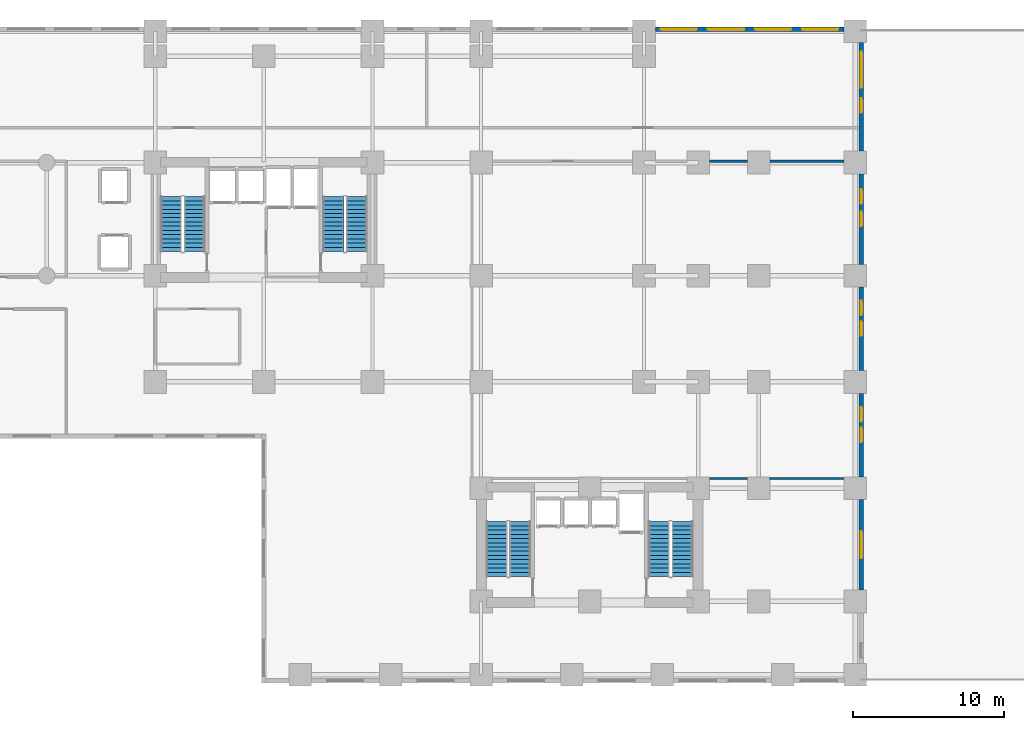
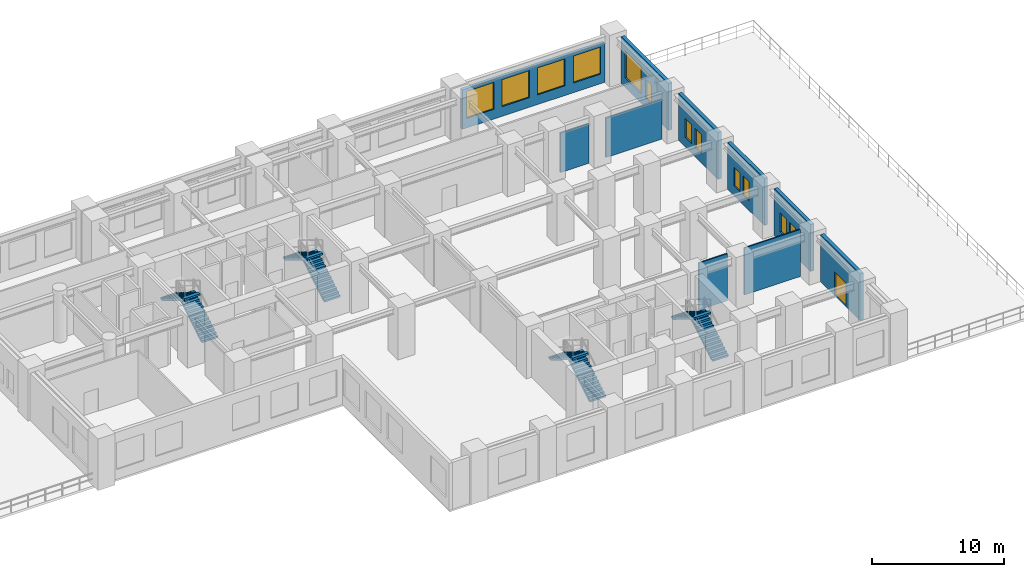
# One storey, part 6 of 10: 12 windows, 10 walls, 8 stair flights, 1 door, 13 openings, 4 elements without a shape of their own.
"""IFC4 building model written with IfcOpenShell, lengths in metres."""

from ifc_helpers import new_model, si_unit, direction, frame, frame_2d, origin, place, context, subcontext, project, spatial, polyline, rectangle, outline, extrude, material, layer, layer_set, type_object, element, fill, aggregate, save


model = new_model("IFC4")

# Units and contexts
model_context = context("Model", 3, precision=1e-05, world=origin(), true_north=direction((0.0, 1.0)))
body_context = subcontext(model_context, "Body", "Model", "MODEL_VIEW")
ifc_project = project(units=[si_unit("LENGTHUNIT", "METRE"), si_unit("AREAUNIT", "SQUARE_METRE"), si_unit("VOLUMEUNIT", "CUBIC_METRE"), si_unit("PLANEANGLEUNIT", "RADIAN"), si_unit("MASSUNIT", "GRAM", prefix="KILO")], contexts=[model_context])

# Site, building, storey
site_placement = place(None, origin())
site = spatial("IfcSite", under=ifc_project, at=site_placement, CompositionType="ELEMENT")
building_placement = place(site_placement, origin())
building = spatial("IfcBuilding", under=site, at=building_placement, Name="Kaliganga Portal Commons", CompositionType="ELEMENT")
storey_placement = place(building_placement, frame((0.0, 0.0, 15.0)))
storey = spatial("IfcBuildingStorey", under=building, at=storey_placement, Name="L03", CompositionType="ELEMENT", Elevation=15.0)

# Wall, opening, door
ifc_material_1 = material(Name="Precast concrete C40/50", Category="concrete")
ifc_layer_1 = layer(ifc_material_1, 0.300048828125)
ifc_layer_set_1 = layer_set([ifc_layer_1], Name="Precast concrete C40/50")
wall_type_1 = type_object("IfcWallType", Name="WL-EXT-POD-300", PredefinedType="STANDARD", material=ifc_layer_set_1)
wall_1_placement = place(storey_placement, frame((61.199951171875, 13.799072265625, 0.0), z_axis=(0.0, 0.0, 1.0), x_axis=(0.0, -1.0, 0.0)))
wall_1 = element("IfcWall", 1, at=wall_1_placement, inside=storey, type_object=wall_type_1, Name="Exterior Envelope Wall L03 P1-E01-S2", PredefinedType="STANDARD", context=body_context, shape_type="SweptSolid", body=[
    extrude(rectangle(XDim=5.998046875, YDim=0.300048828125, at=frame_2d((2.9990234375, 0.0))), origin(), (0.0, 0.0, 1.0), 4.360107421875),
])
opening_1_placement = place(wall_1_placement, frame((2.09912109375, 0.0, 0.0)))
opening_1 = element("IfcOpeningElement", 2, at=opening_1_placement, cuts=wall_1, Name="Opening TD-01", PredefinedType="OPENING", context=body_context, shape_type="SweptSolid", body=[
    extrude(rectangle(XDim=1.800048828125, YDim=2.199951171875, at=frame_2d((0.89990234375, 1.10009765625))), frame((0.0, 0.16015625, 0.0), z_axis=(0.0, -1.0, 0.0), x_axis=(1.0, 0.0, 0.0)), (0.0, 0.0, 1.0), 0.320068359375),
])
ifc_material_2 = material(Name="Anodized Aluminium and Laminated Safety Glass", Category="aluminium")
door_type = type_object("IfcDoorType", Name="DR-TERR-1800", OperationType="DOUBLE_DOOR_SINGLE_SWING", PredefinedType="DOOR", material=ifc_material_2)
door_placement = place(opening_1_placement, origin())
door = element("IfcDoor", 3, at=door_placement, inside=storey, type_object=door_type, Name="Terrace Access Door L03 east_podium_terrace", OperationType="DOUBLE_DOOR_SINGLE_SWING", OverallHeight=2.199951171875, OverallWidth=1.800048828125, PredefinedType="DOOR", context=body_context, shape_type="SweptSolid", body=[
    extrude(rectangle(XDim=1.800048828125, YDim=2.199951171875, at=frame_2d((0.89990234375, 1.10009765625))), frame((0.0, 0.02490234375, 0.0), z_axis=(0.0, -1.0, 0.0), x_axis=(1.0, 0.0, 0.0)), (0.0, 0.0, 1.0), 0.050048828125),
])
fill(opening_1, door)

# Wall, openings, windows
wall_2_placement = place(storey_placement, frame((61.199951171875, 20.84912109375, 0.0), z_axis=(0.0, 0.0, 1.0), x_axis=(0.0, -1.0, 0.0)))
wall_2 = element("IfcWall", 4, at=wall_2_placement, inside=storey, type_object=wall_type_1, Name="Exterior Envelope Wall L03 P1-E01-S3", PredefinedType="STANDARD", context=body_context, shape_type="SweptSolid", body=[
    extrude(rectangle(XDim=5.548095703125, YDim=0.300048828125, at=frame_2d((2.77392578125, 0.0))), origin(), (0.0, 0.0, 1.0), 4.360107421875),
])
opening_2_placement = place(wall_2_placement, frame((2.299072265625, 0.0, 0.89990234375)))
opening_2 = element("IfcOpeningElement", 5, at=opening_2_placement, cuts=wall_2, Name="Opening W-04", PredefinedType="OPENING", context=body_context, shape_type="SweptSolid", body=[
    extrude(rectangle(XDim=0.949951171875, YDim=1.75, at=frame_2d((0.47509765625, 0.875))), frame((0.0, 0.16015625, 0.0), z_axis=(0.0, -1.0, 0.0), x_axis=(1.0, 0.0, 0.0)), (0.0, 0.0, 1.0), 0.320068359375),
])
opening_3_placement = place(wall_2_placement, frame((0.923095703125, 0.0, 0.89990234375)))
opening_3 = element("IfcOpeningElement", 6, at=opening_3_placement, cuts=wall_2, Name="Opening W-04", PredefinedType="OPENING", context=body_context, shape_type="SweptSolid", body=[
    extrude(rectangle(XDim=0.949951171875, YDim=1.75, at=frame_2d((0.47509765625, 0.875))), frame((0.0, 0.16015625, 0.0), z_axis=(0.0, -1.0, 0.0), x_axis=(1.0, 0.0, 0.0)), (0.0, 0.0, 1.0), 0.320068359375),
])
ifc_material_3 = material(Name="Thermally Broken Aluminium and Low-E Double Glazing", Category="aluminium")
window_type_1 = type_object("IfcWindowType", Name="WIN-NARROW-950", PartitioningType="SINGLE_PANEL", PredefinedType="WINDOW", material=ifc_material_3)
window_1_placement = place(opening_2_placement, origin())
window_1 = element("IfcWindow", 7, at=window_1_placement, inside=storey, type_object=window_type_1, Name="Facade Window L03-P1E01S3-N0", OverallHeight=1.75, OverallWidth=0.949951171875, PartitioningType="SINGLE_PANEL", PredefinedType="WINDOW", context=body_context, shape_type="SweptSolid", body=[
    extrude(rectangle(XDim=0.949951171875, YDim=1.75, at=frame_2d((0.47509765625, 0.875))), frame((0.0, 0.030029296875, 0.0), z_axis=(0.0, -1.0, 0.0), x_axis=(1.0, 0.0, 0.0)), (0.0, 0.0, 1.0), 0.06005859375),
])
fill(opening_2, window_1)
window_2_placement = place(opening_3_placement, origin())
window_2 = element("IfcWindow", 8, at=window_2_placement, inside=storey, type_object=window_type_1, Name="Facade Window L03-P1E01S3-N1", OverallHeight=1.75, OverallWidth=0.949951171875, PartitioningType="SINGLE_PANEL", PredefinedType="WINDOW", context=body_context, shape_type="SweptSolid", body=[
    extrude(rectangle(XDim=0.949951171875, YDim=1.75, at=frame_2d((0.47509765625, 0.875))), frame((0.0, 0.030029296875, 0.0), z_axis=(0.0, -1.0, 0.0), x_axis=(1.0, 0.0, 0.0)), (0.0, 0.0, 1.0), 0.06005859375),
])
fill(opening_3, window_2)

wall_3_placement = place(storey_placement, frame((61.199951171875, 27.89892578125, 0.0), z_axis=(0.0, 0.0, 1.0), x_axis=(0.0, -1.0, 0.0)))
wall_3 = element("IfcWall", 9, at=wall_3_placement, inside=storey, type_object=wall_type_1, Name="Exterior Envelope Wall L03 P1-E01-S4", PredefinedType="STANDARD", context=body_context, shape_type="SweptSolid", body=[
    extrude(rectangle(XDim=5.5478515625, YDim=0.300048828125, at=frame_2d((2.77392578125, 0.0))), origin(), (0.0, 0.0, 1.0), 4.360107421875),
])
opening_4_placement = place(wall_3_placement, frame((2.299072265625, 0.0, 0.89990234375)))
opening_4 = element("IfcOpeningElement", 10, at=opening_4_placement, cuts=wall_3, Name="Opening W-04", PredefinedType="OPENING", context=body_context, shape_type="SweptSolid", body=[
    extrude(rectangle(XDim=0.949951171875, YDim=1.75, at=frame_2d((0.47509765625, 0.875))), frame((0.0, 0.16015625, 0.0), z_axis=(0.0, -1.0, 0.0), x_axis=(1.0, 0.0, 0.0)), (0.0, 0.0, 1.0), 0.320068359375),
])
opening_5_placement = place(wall_3_placement, frame((0.923095703125, 0.0, 0.89990234375)))
opening_5 = element("IfcOpeningElement", 11, at=opening_5_placement, cuts=wall_3, Name="Opening W-04", PredefinedType="OPENING", context=body_context, shape_type="SweptSolid", body=[
    extrude(rectangle(XDim=0.949951171875, YDim=1.75, at=frame_2d((0.47509765625, 0.875))), frame((0.0, 0.16015625, 0.0), z_axis=(0.0, -1.0, 0.0), x_axis=(1.0, 0.0, 0.0)), (0.0, 0.0, 1.0), 0.320068359375),
])
window_3_placement = place(opening_4_placement, origin())
window_3 = element("IfcWindow", 12, at=window_3_placement, inside=storey, type_object=window_type_1, Name="Facade Window L03-P1E01S4-N0", OverallHeight=1.75, OverallWidth=0.949951171875, PartitioningType="SINGLE_PANEL", PredefinedType="WINDOW", context=body_context, shape_type="SweptSolid", body=[
    extrude(rectangle(XDim=0.949951171875, YDim=1.75, at=frame_2d((0.47509765625, 0.875))), frame((0.0, 0.030029296875, 0.0), z_axis=(0.0, -1.0, 0.0), x_axis=(1.0, 0.0, 0.0)), (0.0, 0.0, 1.0), 0.06005859375),
])
fill(opening_4, window_3)
window_4_placement = place(opening_5_placement, origin())
window_4 = element("IfcWindow", 13, at=window_4_placement, inside=storey, type_object=window_type_1, Name="Facade Window L03-P1E01S4-N1", OverallHeight=1.75, OverallWidth=0.949951171875, PartitioningType="SINGLE_PANEL", PredefinedType="WINDOW", context=body_context, shape_type="SweptSolid", body=[
    extrude(rectangle(XDim=0.949951171875, YDim=1.75, at=frame_2d((0.47509765625, 0.875))), frame((0.0, 0.030029296875, 0.0), z_axis=(0.0, -1.0, 0.0), x_axis=(1.0, 0.0, 0.0)), (0.0, 0.0, 1.0), 0.06005859375),
])
fill(opening_5, window_4)

wall_4_placement = place(storey_placement, frame((61.199951171875, 35.39892578125, 0.0), z_axis=(0.0, 0.0, 1.0), x_axis=(0.0, -1.0, 0.0)))
wall_4 = element("IfcWall", 14, at=wall_4_placement, inside=storey, type_object=wall_type_1, Name="Exterior Envelope Wall L03 P1-E01-S5", PredefinedType="STANDARD", context=body_context, shape_type="SweptSolid", body=[
    extrude(rectangle(XDim=5.998046875, YDim=0.300048828125, at=frame_2d((2.9990234375, 0.0))), origin(), (0.0, 0.0, 1.0), 4.360107421875),
])
opening_6_placement = place(wall_4_placement, frame((2.52392578125, 0.0, 0.89990234375)))
opening_6 = element("IfcOpeningElement", 15, at=opening_6_placement, cuts=wall_4, Name="Opening W-04", PredefinedType="OPENING", context=body_context, shape_type="SweptSolid", body=[
    extrude(rectangle(XDim=0.949951171875, YDim=1.75, at=frame_2d((0.47509765625, 0.875))), frame((0.0, 0.16015625, 0.0), z_axis=(0.0, -1.0, 0.0), x_axis=(1.0, 0.0, 0.0)), (0.0, 0.0, 1.0), 0.320068359375),
])
opening_7_placement = place(wall_4_placement, frame((1.03662109375, 0.0, 0.89990234375)))
opening_7 = element("IfcOpeningElement", 16, at=opening_7_placement, cuts=wall_4, Name="Opening W-04", PredefinedType="OPENING", context=body_context, shape_type="SweptSolid", body=[
    extrude(rectangle(XDim=0.949951171875, YDim=1.75, at=frame_2d((0.47509765625, 0.875))), frame((0.0, 0.16015625, 0.0), z_axis=(0.0, -1.0, 0.0), x_axis=(1.0, 0.0, 0.0)), (0.0, 0.0, 1.0), 0.320068359375),
])
window_5_placement = place(opening_6_placement, origin())
window_5 = element("IfcWindow", 17, at=window_5_placement, inside=storey, type_object=window_type_1, Name="Facade Window L03-P1E01S5-N0", OverallHeight=1.75, OverallWidth=0.949951171875, PartitioningType="SINGLE_PANEL", PredefinedType="WINDOW", context=body_context, shape_type="SweptSolid", body=[
    extrude(rectangle(XDim=0.949951171875, YDim=1.75, at=frame_2d((0.47509765625, 0.875))), frame((0.0, 0.030029296875, 0.0), z_axis=(0.0, -1.0, 0.0), x_axis=(1.0, 0.0, 0.0)), (0.0, 0.0, 1.0), 0.06005859375),
])
fill(opening_6, window_5)
window_6_placement = place(opening_7_placement, origin())
window_6 = element("IfcWindow", 18, at=window_6_placement, inside=storey, type_object=window_type_1, Name="Facade Window L03-P1E01S5-N1", OverallHeight=1.75, OverallWidth=0.949951171875, PartitioningType="SINGLE_PANEL", PredefinedType="WINDOW", context=body_context, shape_type="SweptSolid", body=[
    extrude(rectangle(XDim=0.949951171875, YDim=1.75, at=frame_2d((0.47509765625, 0.875))), frame((0.0, 0.030029296875, 0.0), z_axis=(0.0, -1.0, 0.0), x_axis=(1.0, 0.0, 0.0)), (0.0, 0.0, 1.0), 0.06005859375),
])
fill(opening_7, window_6)

wall_5_placement = place(storey_placement, frame((61.199951171875, 44.09912109375, 0.0), z_axis=(0.0, 0.0, 1.0), x_axis=(0.0, -1.0, 0.0)))
wall_5 = element("IfcWall", 19, at=wall_5_placement, inside=storey, type_object=wall_type_1, Name="Exterior Envelope Wall L03 P1-E01-S6", PredefinedType="STANDARD", context=body_context, shape_type="SweptSolid", body=[
    extrude(rectangle(XDim=7.1982421875, YDim=0.300048828125, at=frame_2d((3.59912109375, 0.0))), origin(), (0.0, 0.0, 1.0), 4.360107421875),
])
opening_8_placement = place(wall_5_placement, frame((0.599609375, 0.0, 0.89990234375)))
opening_8 = element("IfcOpeningElement", 20, at=opening_8_placement, cuts=wall_5, Name="Opening W-05", PredefinedType="OPENING", context=body_context, shape_type="SweptSolid", body=[
    extrude(rectangle(XDim=2.39990234375, YDim=2.5, at=frame_2d((1.199951171875, 1.25))), frame((0.0, 0.16015625, 0.0), z_axis=(0.0, -1.0, 0.0), x_axis=(1.0, 0.0, 0.0)), (0.0, 0.0, 1.0), 0.320068359375),
])
opening_9_placement = place(wall_5_placement, frame((3.69970703125, 0.0, 0.89990234375)))
opening_9 = element("IfcOpeningElement", 21, at=opening_9_placement, cuts=wall_5, Name="Opening W-04", PredefinedType="OPENING", context=body_context, shape_type="SweptSolid", body=[
    extrude(rectangle(XDim=0.949951171875, YDim=1.75, at=frame_2d((0.47509765625, 0.875))), frame((0.0, 0.16015625, 0.0), z_axis=(0.0, -1.0, 0.0), x_axis=(1.0, 0.0, 0.0)), (0.0, 0.0, 1.0), 0.320068359375),
])
window_7_placement = place(opening_9_placement, origin())
window_7 = element("IfcWindow", 22, at=window_7_placement, inside=storey, type_object=window_type_1, Name="Facade Window L03-P1E01S6-N6", OverallHeight=1.75, OverallWidth=0.949951171875, PartitioningType="SINGLE_PANEL", PredefinedType="WINDOW", context=body_context, shape_type="SweptSolid", body=[
    extrude(rectangle(XDim=0.949951171875, YDim=1.75, at=frame_2d((0.47509765625, 0.875))), frame((0.0, 0.030029296875, 0.0), z_axis=(0.0, -1.0, 0.0), x_axis=(1.0, 0.0, 0.0)), (0.0, 0.0, 1.0), 0.06005859375),
])
fill(opening_9, window_7)
window_type_2 = type_object("IfcWindowType", Name="WIN-POD-2400", PartitioningType="TRIPLE_PANEL_VERTICAL", PredefinedType="WINDOW", material=ifc_material_3)
window_8_placement = place(opening_8_placement, origin())
window_8 = element("IfcWindow", 23, at=window_8_placement, inside=storey, type_object=window_type_2, Name="Facade Window L03-P1E01S6-00", OverallHeight=2.5, OverallWidth=2.39990234375, PartitioningType="SINGLE_PANEL", PredefinedType="WINDOW", context=body_context, shape_type="SweptSolid", body=[
    extrude(rectangle(XDim=2.39990234375, YDim=2.5, at=frame_2d((1.199951171875, 1.25))), frame((0.0, 0.030029296875, 0.0), z_axis=(0.0, -1.0, 0.0), x_axis=(1.0, 0.0, 0.0)), (0.0, 0.0, 1.0), 0.06005859375),
])
fill(opening_8, window_8)

wall_6_placement = place(storey_placement, frame((47.551025390625, 45.0, 0.0), z_axis=(0.0, 0.0, 1.0), x_axis=(1.0, 0.0, 0.0)))
wall_6 = element("IfcWall", 24, at=wall_6_placement, inside=storey, type_object=wall_type_1, Name="Exterior Envelope Wall L03 P1-E02-S1", PredefinedType="STANDARD", context=body_context, shape_type="SweptSolid", body=[
    extrude(rectangle(XDim=12.498046875, YDim=0.300048828125, at=frame_2d((6.2490234375, 0.0))), origin(), (0.0, 0.0, 1.0), 3.659912109375),
])
opening_10_placement = place(wall_6_placement, frame((0.3623046875, 0.0, 0.89990234375)))
opening_10 = element("IfcOpeningElement", 25, at=opening_10_placement, cuts=wall_6, Name="Opening W-05", PredefinedType="OPENING", context=body_context, shape_type="SweptSolid", body=[
    extrude(rectangle(XDim=2.39990234375, YDim=2.5, at=frame_2d((1.199951171875, 1.25))), frame((0.0, 0.16015625, 0.0), z_axis=(0.0, -1.0, 0.0), x_axis=(1.0, 0.0, 0.0)), (0.0, 0.0, 1.0), 0.320068359375),
])
opening_11_placement = place(wall_6_placement, frame((3.48681640625, 0.0, 0.89990234375)))
opening_11 = element("IfcOpeningElement", 26, at=opening_11_placement, cuts=wall_6, Name="Opening W-05", PredefinedType="OPENING", context=body_context, shape_type="SweptSolid", body=[
    extrude(rectangle(XDim=2.39990234375, YDim=2.5, at=frame_2d((1.199951171875, 1.25))), frame((0.0, 0.16015625, 0.0), z_axis=(0.0, -1.0, 0.0), x_axis=(1.0, 0.0, 0.0)), (0.0, 0.0, 1.0), 0.320068359375),
])
opening_12_placement = place(wall_6_placement, frame((6.611083984375, 0.0, 0.89990234375)))
opening_12 = element("IfcOpeningElement", 27, at=opening_12_placement, cuts=wall_6, Name="Opening W-05", PredefinedType="OPENING", context=body_context, shape_type="SweptSolid", body=[
    extrude(rectangle(XDim=2.39990234375, YDim=2.5, at=frame_2d((1.199951171875, 1.25))), frame((0.0, 0.16015625, 0.0), z_axis=(0.0, -1.0, 0.0), x_axis=(1.0, 0.0, 0.0)), (0.0, 0.0, 1.0), 0.320068359375),
])
opening_13_placement = place(wall_6_placement, frame((9.735595703125, 0.0, 0.89990234375)))
opening_13 = element("IfcOpeningElement", 28, at=opening_13_placement, cuts=wall_6, Name="Opening W-05", PredefinedType="OPENING", context=body_context, shape_type="SweptSolid", body=[
    extrude(rectangle(XDim=2.39990234375, YDim=2.5, at=frame_2d((1.199951171875, 1.25))), frame((0.0, 0.16015625, 0.0), z_axis=(0.0, -1.0, 0.0), x_axis=(1.0, 0.0, 0.0)), (0.0, 0.0, 1.0), 0.320068359375),
])
window_9_placement = place(opening_10_placement, origin())
window_9 = element("IfcWindow", 29, at=window_9_placement, inside=storey, type_object=window_type_2, Name="Facade Window L03-P1E02S1-00", OverallHeight=2.5, OverallWidth=2.39990234375, PartitioningType="SINGLE_PANEL", PredefinedType="WINDOW", context=body_context, shape_type="SweptSolid", body=[
    extrude(rectangle(XDim=2.39990234375, YDim=2.5, at=frame_2d((1.199951171875, 1.25))), frame((0.0, 0.030029296875, 0.0), z_axis=(0.0, -1.0, 0.0), x_axis=(1.0, 0.0, 0.0)), (0.0, 0.0, 1.0), 0.06005859375),
])
fill(opening_10, window_9)
window_10_placement = place(opening_11_placement, origin())
window_10 = element("IfcWindow", 30, at=window_10_placement, inside=storey, type_object=window_type_2, Name="Facade Window L03-P1E02S1-01", OverallHeight=2.5, OverallWidth=2.39990234375, PartitioningType="SINGLE_PANEL", PredefinedType="WINDOW", context=body_context, shape_type="SweptSolid", body=[
    extrude(rectangle(XDim=2.39990234375, YDim=2.5, at=frame_2d((1.199951171875, 1.25))), frame((0.0, 0.030029296875, 0.0), z_axis=(0.0, -1.0, 0.0), x_axis=(1.0, 0.0, 0.0)), (0.0, 0.0, 1.0), 0.06005859375),
])
fill(opening_11, window_10)
window_11_placement = place(opening_12_placement, origin())
window_11 = element("IfcWindow", 31, at=window_11_placement, inside=storey, type_object=window_type_2, Name="Facade Window L03-P1E02S1-02", OverallHeight=2.5, OverallWidth=2.39990234375, PartitioningType="SINGLE_PANEL", PredefinedType="WINDOW", context=body_context, shape_type="SweptSolid", body=[
    extrude(rectangle(XDim=2.39990234375, YDim=2.5, at=frame_2d((1.199951171875, 1.25))), frame((0.0, 0.030029296875, 0.0), z_axis=(0.0, -1.0, 0.0), x_axis=(1.0, 0.0, 0.0)), (0.0, 0.0, 1.0), 0.06005859375),
])
fill(opening_12, window_11)
window_12_placement = place(opening_13_placement, origin())
window_12 = element("IfcWindow", 32, at=window_12_placement, inside=storey, type_object=window_type_2, Name="Facade Window L03-P1E02S1-03", OverallHeight=2.5, OverallWidth=2.39990234375, PartitioningType="SINGLE_PANEL", PredefinedType="WINDOW", context=body_context, shape_type="SweptSolid", body=[
    extrude(rectangle(XDim=2.39990234375, YDim=2.5, at=frame_2d((1.199951171875, 1.25))), frame((0.0, 0.030029296875, 0.0), z_axis=(0.0, -1.0, 0.0), x_axis=(1.0, 0.0, 0.0)), (0.0, 0.0, 1.0), 0.06005859375),
])
fill(opening_13, window_12)

# Walls
ifc_material_4 = material(Name="Fire-Rated Gypsum Board on Steel Stud", Category="steel")
ifc_layer_2 = layer(ifc_material_4, 0.14990234375)
ifc_layer_set_2 = layer_set([ifc_layer_2], Name="Fire-Rated Gypsum Board on Steel Stud")
wall_type_2 = type_object("IfcWallType", Name="WL-PART-CORR-150", PredefinedType="PARTITIONING", material=ifc_layer_set_2)
wall_7_placement = place(storey_placement, frame((51.14990234375, 36.239990234375, 0.0), z_axis=(0.0, 0.0, 1.0), x_axis=(1.0, 0.0, 0.0)))
element("IfcWall", 33, at=wall_7_placement, inside=storey, type_object=wall_type_2, Name="Interior Partition L03-005", PredefinedType="PARTITIONING", context=body_context, shape_type="SweptSolid", body=[
    extrude(rectangle(XDim=2.5, YDim=0.14990234375, at=frame_2d((1.25, 0.0))), origin(), (0.0, 0.0, 1.0), 3.659912109375),
])
wall_8_placement = place(storey_placement, frame((55.14990234375, 36.239990234375, 0.0), z_axis=(0.0, 0.0, 1.0), x_axis=(1.0, 0.0, 0.0)))
element("IfcWall", 34, at=wall_8_placement, inside=storey, type_object=wall_type_2, Name="Interior Partition L03-006", PredefinedType="PARTITIONING", context=body_context, shape_type="SweptSolid", body=[
    extrude(rectangle(XDim=4.900146484375, YDim=0.14990234375, at=frame_2d((2.4501953125, 0.0))), origin(), (0.0, 0.0, 1.0), 3.659912109375),
])
ifc_material_5 = material(Name="Moisture-Resistant Gypsum Partition", Category="gypsum")
ifc_layer_3 = layer(ifc_material_5, 0.114990234375)
ifc_layer_set_3 = layer_set([ifc_layer_3], Name="Moisture-Resistant Gypsum Partition")
wall_type_3 = type_object("IfcWallType", Name="WL-PART-ROOM-115", PredefinedType="PARTITIONING", material=ifc_layer_set_3)
wall_9_placement = place(storey_placement, frame((51.14990234375, 15.199951171875, 0.0), z_axis=(0.0, 0.0, 1.0), x_axis=(1.0, 0.0, 0.0)))
element("IfcWall", 35, at=wall_9_placement, inside=storey, type_object=wall_type_3, Name="Interior Partition L03-019", PredefinedType="PARTITIONING", context=body_context, shape_type="SweptSolid", body=[
    extrude(rectangle(XDim=2.5, YDim=0.114990234375, at=frame_2d((1.25, 0.0))), origin(), (0.0, 0.0, 1.0), 4.360107421875),
])
wall_10_placement = place(storey_placement, frame((55.14990234375, 15.199951171875, 0.0), z_axis=(0.0, 0.0, 1.0), x_axis=(1.0, 0.0, 0.0)))
element("IfcWall", 36, at=wall_10_placement, inside=storey, type_object=wall_type_3, Name="Interior Partition L03-020", PredefinedType="PARTITIONING", context=body_context, shape_type="SweptSolid", body=[
    extrude(rectangle(XDim=4.900146484375, YDim=0.114990234375, at=frame_2d((2.4501953125, 0.0))), origin(), (0.0, 0.0, 1.0), 4.360107421875),
])

# Stair, stair flights
ifc_material_6 = material(Name="Concrete C40/50", Category="concrete")
stair_type = type_object("IfcStairType", Name="ST-CORE-DOGLEG", PredefinedType="HALF_TURN_STAIR", material=ifc_material_6)
stair_1_placement = place(storey_placement, origin())
stair_1 = element("IfcStair", 37, at=stair_1_placement, inside=storey, type_object=stair_type, Name="L03 Protected Exit Stair ST-A1", PredefinedType="HALF_TURN_STAIR")
stair_flight_type = type_object("IfcStairFlightType", Name="STF-RC-1400", PredefinedType="STRAIGHT", material=ifc_material_6)
stair_flight_1_placement = place(storey_placement, frame((17.0, 30.25, 0.0), z_axis=(0.0, 0.0, 1.0), x_axis=(0.0, 1.0, 0.0)))
stair_flight_1 = element("IfcStairFlight", 38, at=stair_flight_1_placement, type_object=stair_flight_type, Name="ST-A1 flight 1", NumberOfRisers=14, NumberOfTreads=13, PredefinedType="STRAIGHT", RiserHeight=0.171428571, TreadLength=0.28, context=body_context, shape_type="SweptSolid", body=[
    extrude(outline(polyline([(0.0, 0.0), (0.0, 0.17138671875), (0.280029296875, 0.17138671875), (0.280029296875, 0.3427734375), (0.56005859375, 0.3427734375), (0.56005859375, 0.514404296875), (0.840087890625, 0.514404296875), (0.840087890625, 0.685791015625), (1.1201171875, 0.685791015625), (1.1201171875, 0.857177734375), (1.39990234375, 0.857177734375), (1.39990234375, 1.028564453125), (1.679931640625, 1.028564453125), (1.679931640625, 1.199951171875), (1.9599609375, 1.199951171875), (1.9599609375, 1.371337890625), (2.239990234375, 1.371337890625), (2.239990234375, 1.54296875), (2.52001953125, 1.54296875), (2.52001953125, 1.71435546875), (2.800048828125, 1.71435546875), (2.800048828125, 1.8857421875), (3.080078125, 1.8857421875), (3.080078125, 2.05712890625), (3.360107421875, 2.05712890625), (3.360107421875, 2.228515625), (3.639892578125, 2.228515625), (3.639892578125, 2.39990234375), (3.639892578125, 2.052734375), (0.287109375, 0.0), (0.0, 0.0)])), frame((0.0, 0.699951171875, 0.0), z_axis=(0.0, -1.0, 0.0), x_axis=(1.0, 0.0, 0.0)), (0.0, 0.0, 1.0), 1.39990234375),
])
stair_flight_2_placement = place(storey_placement, frame((15.449951171875, 33.889892578125, 2.39990234375), z_axis=(0.0, 0.0, 1.0), x_axis=(0.0, -1.0, 0.0)))
stair_flight_2 = element("IfcStairFlight", 39, at=stair_flight_2_placement, type_object=stair_flight_type, Name="ST-A1 flight 2", NumberOfRisers=14, NumberOfTreads=13, PredefinedType="STRAIGHT", RiserHeight=0.171428571, TreadLength=0.28, context=body_context, shape_type="SweptSolid", body=[
    extrude(outline(polyline([(0.0, 0.0), (0.0, 0.17138671875), (0.280029296875, 0.17138671875), (0.280029296875, 0.3427734375), (0.56005859375, 0.3427734375), (0.56005859375, 0.514404296875), (0.840087890625, 0.514404296875), (0.840087890625, 0.685791015625), (1.1201171875, 0.685791015625), (1.1201171875, 0.857177734375), (1.39990234375, 0.857177734375), (1.39990234375, 1.028564453125), (1.679931640625, 1.028564453125), (1.679931640625, 1.199951171875), (1.9599609375, 1.199951171875), (1.9599609375, 1.371337890625), (2.239990234375, 1.371337890625), (2.239990234375, 1.54296875), (2.52001953125, 1.54296875), (2.52001953125, 1.71435546875), (2.800048828125, 1.71435546875), (2.800048828125, 1.8857421875), (3.080078125, 1.8857421875), (3.080078125, 2.05712890625), (3.360107421875, 2.05712890625), (3.360107421875, 2.228515625), (3.639892578125, 2.228515625), (3.639892578125, 2.39990234375), (3.639892578125, 2.052734375), (0.287109375, 0.0), (0.0, 0.0)])), frame((0.0, 0.699951171875, 0.0), z_axis=(0.0, -1.0, 0.0), x_axis=(1.0, 0.0, 0.0)), (0.0, 0.0, 1.0), 1.39990234375),
])
aggregate(stair_1, [stair_flight_1, stair_flight_2])

stair_2_placement = place(storey_placement, origin())
stair_2 = element("IfcStair", 40, at=stair_2_placement, inside=storey, type_object=stair_type, Name="L03 Protected Exit Stair ST-A2", PredefinedType="HALF_TURN_STAIR")
stair_flight_3_placement = place(storey_placement, frame((27.75, 30.25, 0.0), z_axis=(0.0, 0.0, 1.0), x_axis=(0.0, 1.0, 0.0)))
stair_flight_3 = element("IfcStairFlight", 41, at=stair_flight_3_placement, type_object=stair_flight_type, Name="ST-A2 flight 1", NumberOfRisers=14, NumberOfTreads=13, PredefinedType="STRAIGHT", RiserHeight=0.171428571, TreadLength=0.28, context=body_context, shape_type="SweptSolid", body=[
    extrude(outline(polyline([(0.0, 0.0), (0.0, 0.17138671875), (0.280029296875, 0.17138671875), (0.280029296875, 0.3427734375), (0.56005859375, 0.3427734375), (0.56005859375, 0.514404296875), (0.840087890625, 0.514404296875), (0.840087890625, 0.685791015625), (1.1201171875, 0.685791015625), (1.1201171875, 0.857177734375), (1.39990234375, 0.857177734375), (1.39990234375, 1.028564453125), (1.679931640625, 1.028564453125), (1.679931640625, 1.199951171875), (1.9599609375, 1.199951171875), (1.9599609375, 1.371337890625), (2.239990234375, 1.371337890625), (2.239990234375, 1.54296875), (2.52001953125, 1.54296875), (2.52001953125, 1.71435546875), (2.800048828125, 1.71435546875), (2.800048828125, 1.8857421875), (3.080078125, 1.8857421875), (3.080078125, 2.05712890625), (3.360107421875, 2.05712890625), (3.360107421875, 2.228515625), (3.639892578125, 2.228515625), (3.639892578125, 2.39990234375), (3.639892578125, 2.052734375), (0.287109375, 0.0), (0.0, 0.0)])), frame((0.0, 0.699951171875, 0.0), z_axis=(0.0, -1.0, 0.0), x_axis=(1.0, 0.0, 0.0)), (0.0, 0.0, 1.0), 1.39990234375),
])
stair_flight_4_placement = place(storey_placement, frame((26.199951171875, 33.889892578125, 2.39990234375), z_axis=(0.0, 0.0, 1.0), x_axis=(0.0, -1.0, 0.0)))
stair_flight_4 = element("IfcStairFlight", 42, at=stair_flight_4_placement, type_object=stair_flight_type, Name="ST-A2 flight 2", NumberOfRisers=14, NumberOfTreads=13, PredefinedType="STRAIGHT", RiserHeight=0.171428571, TreadLength=0.28, context=body_context, shape_type="SweptSolid", body=[
    extrude(outline(polyline([(0.0, 0.0), (0.0, 0.17138671875), (0.280029296875, 0.17138671875), (0.280029296875, 0.3427734375), (0.56005859375, 0.3427734375), (0.56005859375, 0.514404296875), (0.840087890625, 0.514404296875), (0.840087890625, 0.685791015625), (1.1201171875, 0.685791015625), (1.1201171875, 0.857177734375), (1.39990234375, 0.857177734375), (1.39990234375, 1.028564453125), (1.679931640625, 1.028564453125), (1.679931640625, 1.199951171875), (1.9599609375, 1.199951171875), (1.9599609375, 1.371337890625), (2.239990234375, 1.371337890625), (2.239990234375, 1.54296875), (2.52001953125, 1.54296875), (2.52001953125, 1.71435546875), (2.800048828125, 1.71435546875), (2.800048828125, 1.8857421875), (3.080078125, 1.8857421875), (3.080078125, 2.05712890625), (3.360107421875, 2.05712890625), (3.360107421875, 2.228515625), (3.639892578125, 2.228515625), (3.639892578125, 2.39990234375), (3.639892578125, 2.052734375), (0.287109375, 0.0), (0.0, 0.0)])), frame((0.0, 0.699951171875, 0.0), z_axis=(0.0, -1.0, 0.0), x_axis=(1.0, 0.0, 0.0)), (0.0, 0.0, 1.0), 1.39990234375),
])
aggregate(stair_2, [stair_flight_3, stair_flight_4])

stair_3_placement = place(storey_placement, origin())
stair_3 = element("IfcStair", 43, at=stair_3_placement, inside=storey, type_object=stair_type, Name="L03 Protected Exit Stair ST-B1", PredefinedType="HALF_TURN_STAIR")
stair_flight_5_placement = place(storey_placement, frame((38.60009765625, 8.699951171875, 0.0), z_axis=(0.0, 0.0, 1.0), x_axis=(0.0, 1.0, 0.0)))
stair_flight_5 = element("IfcStairFlight", 44, at=stair_flight_5_placement, type_object=stair_flight_type, Name="ST-B1 flight 1", NumberOfRisers=14, NumberOfTreads=13, PredefinedType="STRAIGHT", RiserHeight=0.171428571, TreadLength=0.28, context=body_context, shape_type="SweptSolid", body=[
    extrude(outline(polyline([(0.0, 0.0), (0.0, 0.17138671875), (0.280029296875, 0.17138671875), (0.280029296875, 0.3427734375), (0.56005859375, 0.3427734375), (0.56005859375, 0.514404296875), (0.840087890625, 0.514404296875), (0.840087890625, 0.685791015625), (1.1201171875, 0.685791015625), (1.1201171875, 0.857177734375), (1.39990234375, 0.857177734375), (1.39990234375, 1.028564453125), (1.679931640625, 1.028564453125), (1.679931640625, 1.199951171875), (1.9599609375, 1.199951171875), (1.9599609375, 1.371337890625), (2.239990234375, 1.371337890625), (2.239990234375, 1.54296875), (2.52001953125, 1.54296875), (2.52001953125, 1.71435546875), (2.800048828125, 1.71435546875), (2.800048828125, 1.8857421875), (3.080078125, 1.8857421875), (3.080078125, 2.05712890625), (3.360107421875, 2.05712890625), (3.360107421875, 2.228515625), (3.639892578125, 2.228515625), (3.639892578125, 2.39990234375), (3.639892578125, 2.052734375), (0.287109375, 0.0), (0.0, 0.0)])), frame((0.0, 0.699951171875, 0.0), z_axis=(0.0, -1.0, 0.0), x_axis=(1.0, 0.0, 0.0)), (0.0, 0.0, 1.0), 1.39990234375),
])
stair_flight_6_placement = place(storey_placement, frame((37.050048828125, 12.340087890625, 2.39990234375), z_axis=(0.0, 0.0, 1.0), x_axis=(0.0, -1.0, 0.0)))
stair_flight_6 = element("IfcStairFlight", 45, at=stair_flight_6_placement, type_object=stair_flight_type, Name="ST-B1 flight 2", NumberOfRisers=14, NumberOfTreads=13, PredefinedType="STRAIGHT", RiserHeight=0.171428571, TreadLength=0.28, context=body_context, shape_type="SweptSolid", body=[
    extrude(outline(polyline([(0.0, 0.0), (0.0, 0.17138671875), (0.280029296875, 0.17138671875), (0.280029296875, 0.3427734375), (0.56005859375, 0.3427734375), (0.56005859375, 0.514404296875), (0.840087890625, 0.514404296875), (0.840087890625, 0.685791015625), (1.1201171875, 0.685791015625), (1.1201171875, 0.857177734375), (1.39990234375, 0.857177734375), (1.39990234375, 1.028564453125), (1.679931640625, 1.028564453125), (1.679931640625, 1.199951171875), (1.9599609375, 1.199951171875), (1.9599609375, 1.371337890625), (2.239990234375, 1.371337890625), (2.239990234375, 1.54296875), (2.52001953125, 1.54296875), (2.52001953125, 1.71435546875), (2.800048828125, 1.71435546875), (2.800048828125, 1.8857421875), (3.080078125, 1.8857421875), (3.080078125, 2.05712890625), (3.360107421875, 2.05712890625), (3.360107421875, 2.228515625), (3.639892578125, 2.228515625), (3.639892578125, 2.39990234375), (3.639892578125, 2.052734375), (0.287109375, 0.0), (0.0, 0.0)])), frame((0.0, 0.699951171875, 0.0), z_axis=(0.0, -1.0, 0.0), x_axis=(1.0, 0.0, 0.0)), (0.0, 0.0, 1.0), 1.39990234375),
])
aggregate(stair_3, [stair_flight_5, stair_flight_6])

stair_4_placement = place(storey_placement, origin())
stair_4 = element("IfcStair", 46, at=stair_4_placement, inside=storey, type_object=stair_type, Name="L03 Protected Exit Stair ST-B2", PredefinedType="HALF_TURN_STAIR")
stair_flight_7_placement = place(storey_placement, frame((49.35009765625, 8.699951171875, 0.0), z_axis=(0.0, 0.0, 1.0), x_axis=(0.0, 1.0, 0.0)))
stair_flight_7 = element("IfcStairFlight", 47, at=stair_flight_7_placement, type_object=stair_flight_type, Name="ST-B2 flight 1", NumberOfRisers=14, NumberOfTreads=13, PredefinedType="STRAIGHT", RiserHeight=0.171428571, TreadLength=0.28, context=body_context, shape_type="SweptSolid", body=[
    extrude(outline(polyline([(0.0, 0.0), (0.0, 0.17138671875), (0.280029296875, 0.17138671875), (0.280029296875, 0.3427734375), (0.56005859375, 0.3427734375), (0.56005859375, 0.514404296875), (0.840087890625, 0.514404296875), (0.840087890625, 0.685791015625), (1.1201171875, 0.685791015625), (1.1201171875, 0.857177734375), (1.39990234375, 0.857177734375), (1.39990234375, 1.028564453125), (1.679931640625, 1.028564453125), (1.679931640625, 1.199951171875), (1.9599609375, 1.199951171875), (1.9599609375, 1.371337890625), (2.239990234375, 1.371337890625), (2.239990234375, 1.54296875), (2.52001953125, 1.54296875), (2.52001953125, 1.71435546875), (2.800048828125, 1.71435546875), (2.800048828125, 1.8857421875), (3.080078125, 1.8857421875), (3.080078125, 2.05712890625), (3.360107421875, 2.05712890625), (3.360107421875, 2.228515625), (3.639892578125, 2.228515625), (3.639892578125, 2.39990234375), (3.639892578125, 2.052734375), (0.287109375, 0.0), (0.0, 0.0)])), frame((0.0, 0.699951171875, 0.0), z_axis=(0.0, -1.0, 0.0), x_axis=(1.0, 0.0, 0.0)), (0.0, 0.0, 1.0), 1.39990234375),
])
stair_flight_8_placement = place(storey_placement, frame((47.800048828125, 12.340087890625, 2.39990234375), z_axis=(0.0, 0.0, 1.0), x_axis=(0.0, -1.0, 0.0)))
stair_flight_8 = element("IfcStairFlight", 48, at=stair_flight_8_placement, type_object=stair_flight_type, Name="ST-B2 flight 2", NumberOfRisers=14, NumberOfTreads=13, PredefinedType="STRAIGHT", RiserHeight=0.171428571, TreadLength=0.28, context=body_context, shape_type="SweptSolid", body=[
    extrude(outline(polyline([(0.0, 0.0), (0.0, 0.17138671875), (0.280029296875, 0.17138671875), (0.280029296875, 0.3427734375), (0.56005859375, 0.3427734375), (0.56005859375, 0.514404296875), (0.840087890625, 0.514404296875), (0.840087890625, 0.685791015625), (1.1201171875, 0.685791015625), (1.1201171875, 0.857177734375), (1.39990234375, 0.857177734375), (1.39990234375, 1.028564453125), (1.679931640625, 1.028564453125), (1.679931640625, 1.199951171875), (1.9599609375, 1.199951171875), (1.9599609375, 1.371337890625), (2.239990234375, 1.371337890625), (2.239990234375, 1.54296875), (2.52001953125, 1.54296875), (2.52001953125, 1.71435546875), (2.800048828125, 1.71435546875), (2.800048828125, 1.8857421875), (3.080078125, 1.8857421875), (3.080078125, 2.05712890625), (3.360107421875, 2.05712890625), (3.360107421875, 2.228515625), (3.639892578125, 2.228515625), (3.639892578125, 2.39990234375), (3.639892578125, 2.052734375), (0.287109375, 0.0), (0.0, 0.0)])), frame((0.0, 0.699951171875, 0.0), z_axis=(0.0, -1.0, 0.0), x_axis=(1.0, 0.0, 0.0)), (0.0, 0.0, 1.0), 1.39990234375),
])
aggregate(stair_4, [stair_flight_7, stair_flight_8])

save(model, "model.ifc")
